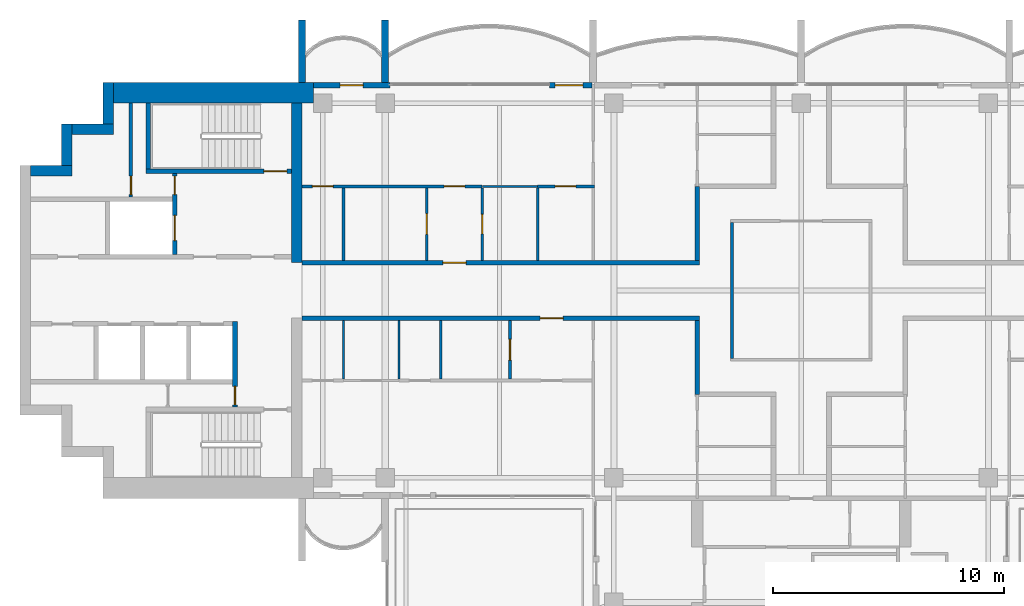
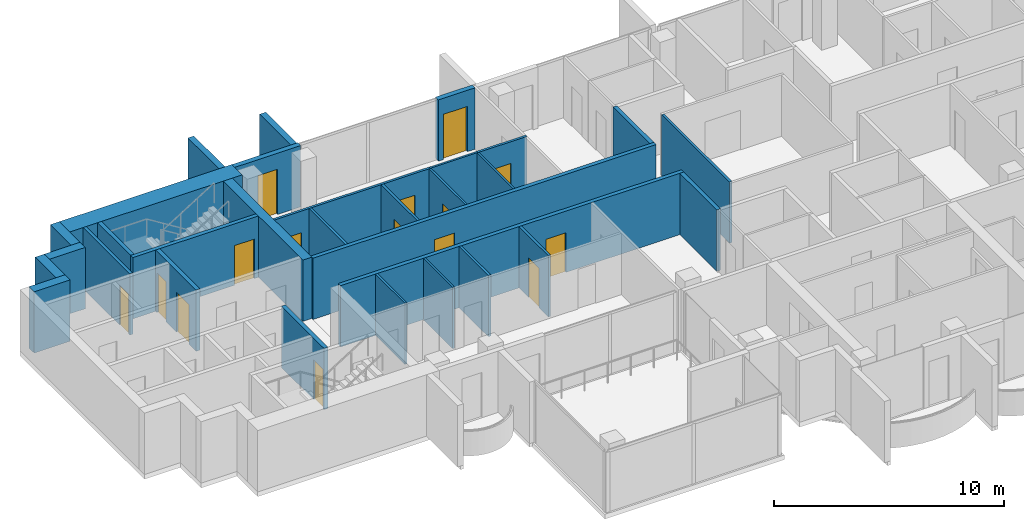
# One storey, part 8 of 16: 31 walls, 15 doors, 15 openings.
"""IFC4 building model written with IfcOpenShell, lengths in metres."""

from ifc_helpers import new_model, si_unit, direction, frame, frame_2d, origin, place, context, subcontext, project, spatial, rectangle, extrude, material, layer, layer_set, type_object, element, fill, save


model = new_model("IFC4")

# Units and contexts
model_context = context("Model", 3, precision=1e-05, world=origin(), true_north=direction((0.0, 1.0)))
body_context = subcontext(model_context, "Body", "Model", "MODEL_VIEW")
ifc_project = project(units=[si_unit("LENGTHUNIT", "METRE"), si_unit("AREAUNIT", "SQUARE_METRE"), si_unit("VOLUMEUNIT", "CUBIC_METRE"), si_unit("PLANEANGLEUNIT", "RADIAN"), si_unit("MASSUNIT", "GRAM", prefix="KILO")], contexts=[model_context])

# Site, building, storey
site_placement = place(None, origin())
site = spatial("IfcSite", under=ifc_project, at=site_placement, CompositionType="ELEMENT")
building_placement = place(site_placement, origin())
building = spatial("IfcBuilding", under=site, at=building_placement, Name="Perihelion Cross Residences", CompositionType="ELEMENT")
storey_placement = place(building_placement, frame((0.0, 0.0, 236.0)))
storey = spatial("IfcBuildingStorey", under=building, at=storey_placement, Name="L59", CompositionType="ELEMENT", Elevation=236.0)

# Wall, opening, door
ifc_material_1 = material(Name="Plasterboard partition")
ifc_layer_1 = layer(ifc_material_1, 0.199951171875)
ifc_layer_set_1 = layer_set([ifc_layer_1], Name="Apartment separation wall 200")
wall_type_1 = type_object("IfcWallType", Name="Apartment separation wall 200", PredefinedType="PARTITIONING", material=ifc_layer_set_1)
wall_1_placement = place(storey_placement, frame((-21.60009765625, 1.199951171875, 0.0), z_axis=(0.0, 0.0, 1.0), x_axis=(1.0, 0.0, 0.0)))
wall_1 = element("IfcWall", 1, at=wall_1_placement, inside=storey, type_object=wall_type_1, Name="Partition L59 W013", PredefinedType="PARTITIONING", context=body_context, shape_type="SweptSolid", body=[
    extrude(rectangle(XDim=17.2001953125, YDim=0.199951171875, at=frame_2d((8.60009765625, 0.0))), origin(), (0.0, 0.0, 1.0), 3.25),
])
opening_1_placement = place(wall_1_placement, frame((6.10009765625, 0.0, 0.0)))
opening_1 = element("IfcOpeningElement", 2, at=opening_1_placement, cuts=wall_1, Name="Opening L59.A41", PredefinedType="OPENING", context=body_context, shape_type="SweptSolid", body=[
    extrude(rectangle(XDim=1.0, YDim=2.10009765625, at=frame_2d((0.5, 1.050048828125))), frame((0.0, 0.10986328125, 0.0), z_axis=(0.0, -1.0, 0.0), x_axis=(1.0, 0.0, 0.0)), (0.0, 0.0, 1.0), 0.219970703125),
])
ifc_material_2 = material(Name="Timber door leaf", Category="wood")
door_type_1 = type_object("IfcDoorType", Name="Flat entrance door 1000 x 2100", OperationType="SINGLE_SWING_LEFT", PredefinedType="DOOR", material=ifc_material_2)
door_1_placement = place(opening_1_placement, origin())
door_1 = element("IfcDoor", 3, at=door_1_placement, inside=storey, type_object=door_type_1, Name="Door L59.A41", OperationType="SINGLE_SWING_LEFT", OverallHeight=2.10009765625, OverallWidth=1.0, PredefinedType="DOOR", context=body_context, shape_type="SweptSolid", body=[
    extrude(rectangle(XDim=1.0, YDim=2.10009765625, at=frame_2d((0.5, 1.050048828125))), frame((0.0, 0.02490234375, 0.0), z_axis=(0.0, -1.0, 0.0), x_axis=(1.0, 0.0, 0.0)), (0.0, 0.0, 1.0), 0.050048828125),
])
fill(opening_1, door_1)

# Wall
wall_2_placement = place(storey_placement, frame((-4.5, 1.300048828125, 0.0), z_axis=(0.0, 0.0, 1.0), x_axis=(0.0, 1.0, 0.0)))
element("IfcWall", 4, at=wall_2_placement, inside=storey, type_object=wall_type_1, Name="Partition L59 W014", PredefinedType="PARTITIONING", context=body_context, shape_type="SweptSolid", body=[
    extrude(rectangle(XDim=3.199951171875, YDim=0.199951171875, at=frame_2d((1.60009765625, 0.0))), origin(), (0.0, 0.0, 1.0), 3.25),
])

# Wall, opening, door
wall_3_placement = place(storey_placement, frame((-4.39990234375, -1.199951171875, 0.0), z_axis=(0.0, 0.0, 1.0), x_axis=(-1.0, 0.0, 0.0)))
wall_3 = element("IfcWall", 5, at=wall_3_placement, inside=storey, type_object=wall_type_1, Name="Partition L59 W017", PredefinedType="PARTITIONING", context=body_context, shape_type="SweptSolid", body=[
    extrude(rectangle(XDim=17.2001953125, YDim=0.199951171875, at=frame_2d((8.60009765625, 0.0))), origin(), (0.0, 0.0, 1.0), 3.25),
])
opening_2_placement = place(wall_3_placement, frame((5.89990234375, 0.0, 0.0)))
opening_2 = element("IfcOpeningElement", 6, at=opening_2_placement, cuts=wall_3, Name="Opening L59.A42", PredefinedType="OPENING", context=body_context, shape_type="SweptSolid", body=[
    extrude(rectangle(XDim=1.0, YDim=2.10009765625, at=frame_2d((0.5, 1.050048828125))), frame((0.0, 0.10986328125, 0.0), z_axis=(0.0, -1.0, 0.0), x_axis=(1.0, 0.0, 0.0)), (0.0, 0.0, 1.0), 0.219970703125),
])
door_2_placement = place(opening_2_placement, origin())
door_2 = element("IfcDoor", 7, at=door_2_placement, inside=storey, type_object=door_type_1, Name="Door L59.A42", OperationType="SINGLE_SWING_LEFT", OverallHeight=2.10009765625, OverallWidth=1.0, PredefinedType="DOOR", context=body_context, shape_type="SweptSolid", body=[
    extrude(rectangle(XDim=1.0, YDim=2.10009765625, at=frame_2d((0.5, 1.050048828125))), frame((0.0, 0.02490234375, 0.0), z_axis=(0.0, -1.0, 0.0), x_axis=(1.0, 0.0, 0.0)), (0.0, 0.0, 1.0), 0.050048828125),
])
fill(opening_2, door_2)

# Wall
wall_4_placement = place(storey_placement, frame((-4.5, -4.5, 0.0), z_axis=(0.0, 0.0, 1.0), x_axis=(0.0, 1.0, 0.0)))
element("IfcWall", 8, at=wall_4_placement, inside=storey, type_object=wall_type_1, Name="Partition L59 W018", PredefinedType="PARTITIONING", context=body_context, shape_type="SweptSolid", body=[
    extrude(rectangle(XDim=3.199951171875, YDim=0.199951171875, at=frame_2d((1.60009765625, 0.0))), origin(), (0.0, 0.0, 1.0), 3.25),
])

# Wall, opening, door
ifc_material_3 = material(Name="Concrete C30/37, bronze-clad", Category="concrete")
ifc_layer_2 = layer(ifc_material_3, 0.25)
ifc_layer_set_2 = layer_set([ifc_layer_2], Name="Bronze-clad pier wall 250")
wall_type_2 = type_object("IfcWallType", Name="Bronze-clad pier wall 250", PredefinedType="SOLIDWALL", material=ifc_layer_set_2)
wall_5_placement = place(storey_placement, frame((-9.06005859375, 8.875, 0.0), z_axis=(0.0, 0.0, 1.0), x_axis=(-1.0, 0.0, 0.0)))
wall_5 = element("IfcWall", 9, at=wall_5_placement, inside=storey, type_object=wall_type_2, Name="Wall FW1 L59 west side north bay 1 pier", PredefinedType="SOLIDWALL", context=body_context, shape_type="SweptSolid", body=[
    extrude(rectangle(XDim=1.83984375, YDim=0.25, at=frame_2d((0.919921875, 0.0))), origin(), (0.0, 0.0, 1.0), 3.25),
])
opening_3_placement = place(wall_5_placement, frame((0.389892578125, 0.0, 0.0)))
opening_3 = element("IfcOpeningElement", 10, at=opening_3_placement, cuts=wall_5, Name="Opening L59.E05", PredefinedType="OPENING", context=body_context, shape_type="SweptSolid", body=[
    extrude(rectangle(XDim=1.199951171875, YDim=2.39990234375, at=frame_2d((0.60009765625, 1.199951171875))), frame((0.0, 0.135009765625, 0.0), z_axis=(0.0, -1.0, 0.0), x_axis=(1.0, 0.0, 0.0)), (0.0, 0.0, 1.0), 0.27001953125),
])
ifc_material_4 = material(Name="Bronze anodised aluminium, glazed", Category="aluminium")
door_type_2 = type_object("IfcDoorType", Name="Balcony door 1200 x 2400", OperationType="NOTDEFINED", PredefinedType="DOOR", material=ifc_material_4)
door_3_placement = place(opening_3_placement, origin())
door_3 = element("IfcDoor", 11, at=door_3_placement, inside=storey, type_object=door_type_2, Name="Door L59.E05 west side north bay 1", OperationType="SINGLE_SWING_LEFT", OverallHeight=2.39990234375, OverallWidth=1.199951171875, PredefinedType="DOOR", context=body_context, shape_type="SweptSolid", body=[
    extrude(rectangle(XDim=1.199951171875, YDim=2.39990234375, at=frame_2d((0.60009765625, 1.199951171875))), frame((0.0, 0.02490234375, 0.0), z_axis=(0.0, -1.0, 0.0), x_axis=(1.0, 0.0, 0.0)), (0.0, 0.0, 1.0), 0.050048828125),
])
fill(opening_3, door_3)

wall_6_placement = place(storey_placement, frame((-17.800048828125, 8.875, 0.0), z_axis=(0.0, 0.0, 1.0), x_axis=(-1.0, 0.0, 0.0)))
wall_6 = element("IfcWall", 12, at=wall_6_placement, inside=storey, type_object=wall_type_2, Name="Wall FW1 L59 west side north bay 2 pier", PredefinedType="SOLIDWALL", context=body_context, shape_type="SweptSolid", body=[
    extrude(rectangle(XDim=3.300048828125, YDim=0.25, at=frame_2d((1.64990234375, 0.0))), origin(), (0.0, 0.0, 1.0), 3.25),
])
opening_4_placement = place(wall_6_placement, frame((1.14990234375, 0.0, 0.0)))
opening_4 = element("IfcOpeningElement", 13, at=opening_4_placement, cuts=wall_6, Name="Opening L59.E06", PredefinedType="OPENING", context=body_context, shape_type="SweptSolid", body=[
    extrude(rectangle(XDim=1.0, YDim=2.39990234375, at=frame_2d((0.5, 1.199951171875))), frame((0.0, 0.135009765625, 0.0), z_axis=(0.0, -1.0, 0.0), x_axis=(1.0, 0.0, 0.0)), (0.0, 0.0, 1.0), 0.27001953125),
])
ifc_material_5 = material(Name="Bronze anodised aluminium, glazed", Category="aluminium")
door_type_3 = type_object("IfcDoorType", Name="Balcony door 1000 x 2400", OperationType="NOTDEFINED", PredefinedType="DOOR", material=ifc_material_5)
door_4_placement = place(opening_4_placement, origin())
door_4 = element("IfcDoor", 14, at=door_4_placement, inside=storey, type_object=door_type_3, Name="Door L59.E06 west side north bay 2", OperationType="SINGLE_SWING_RIGHT", OverallHeight=2.39990234375, OverallWidth=1.0, PredefinedType="DOOR", context=body_context, shape_type="SweptSolid", body=[
    extrude(rectangle(XDim=1.0, YDim=2.39990234375, at=frame_2d((0.5, 1.199951171875))), frame((0.0, 0.02490234375, 0.0), z_axis=(0.0, -1.0, 0.0), x_axis=(1.0, 0.0, 0.0)), (0.0, 0.0, 1.0), 0.050048828125),
])
fill(opening_4, door_4)

# Walls
ifc_material_6 = material(Name="Concrete C60/75", Category="concrete")
ifc_layer_3 = layer(ifc_material_6, 0.449951171875)
ifc_layer_set_3 = layer_set([ifc_layer_3], Name="Core wall, inner 450")
wall_type_3 = type_object("IfcWallType", Name="Core wall, inner 450", PredefinedType="SHEAR", material=ifc_layer_set_3)
wall_7_placement = place(storey_placement, frame((-21.824951171875, 1.199951171875, 0.0), z_axis=(0.0, 0.0, 1.0), x_axis=(0.0, 1.0, 0.0)))
element("IfcWall", 15, at=wall_7_placement, inside=storey, type_object=wall_type_3, Name="West core core wall, inner", PredefinedType="SHEAR", context=body_context, shape_type="SweptSolid", body=[
    extrude(rectangle(XDim=6.900146484375, YDim=0.449951171875, at=frame_2d((3.4501953125, 0.0))), origin(), (0.0, 0.0, 1.0), 3.25),
])
ifc_material_7 = material(Name="Concrete C60/75", Category="concrete")
ifc_layer_4 = layer(ifc_material_7, 0.449951171875)
ifc_layer_set_4 = layer_set([ifc_layer_4], Name="Core wall, outer 450")
wall_type_4 = type_object("IfcWallType", Name="Core wall, outer 450", PredefinedType="SHEAR", material=ifc_layer_set_4)
for number, where, z_axis, x_axis, name in (
    (16, (-33.35009765625, 5.175048828125, 0.0), (0.0, 0.0, 1.0), (1.0, 0.0, 0.0), "West core core wall, outer"),
    (17, (-31.77490234375, 5.39990234375, 0.0), (0.0, 0.0, 1.0), (0.0, 1.0, 0.0), "West core core wall, outer"),
    (18, (-31.550048828125, 6.97509765625, 0.0), (0.0, 0.0, 1.0), (1.0, 0.0, 0.0), "West core core wall, outer"),
    (19, (-29.97509765625, 7.199951171875, 0.0), (0.0, 0.0, 1.0), (0.0, 1.0, 0.0), "West core core wall, outer"),
):
    element("IfcWall", number, at=place(storey_placement, frame(where, z_axis=z_axis, x_axis=x_axis)), inside=storey, type_object=wall_type_4, Name=name, PredefinedType="SHEAR", context=body_context, shape_type="SweptSolid", body=[
        extrude(rectangle(XDim=1.800048828125, YDim=0.449951171875, at=frame_2d((0.89990234375, 0.0))), origin(), (0.0, 0.0, 1.0), 3.25),
    ])
ifc_material_8 = material(Name="Concrete C60/75", Category="concrete")
ifc_layer_5 = layer(ifc_material_8, 0.89990234375)
ifc_layer_set_5 = layer_set([ifc_layer_5], Name="Core wall, outer 900")
wall_type_5 = type_object("IfcWallType", Name="Core wall, outer 900", PredefinedType="SHEAR", material=ifc_layer_set_5)
wall_8_placement = place(storey_placement, frame((-29.75, 8.550048828125, 0.0), z_axis=(0.0, 0.0, 1.0), x_axis=(1.0, 0.0, 0.0)))
element("IfcWall", 20, at=wall_8_placement, inside=storey, type_object=wall_type_5, Name="West core core wall, outer", PredefinedType="SHEAR", context=body_context, shape_type="SweptSolid", body=[
    extrude(rectangle(XDim=8.64990234375, YDim=0.89990234375, at=frame_2d((4.324951171875, 0.0))), origin(), (0.0, 0.0, 1.0), 3.25),
])

# Wall, opening, door
ifc_material_9 = material(Name="Concrete C50/60", Category="concrete")
ifc_layer_6 = layer(ifc_material_9, 0.199951171875)
ifc_layer_set_6 = layer_set([ifc_layer_6], Name="Lobby wall 200")
wall_type_6 = type_object("IfcWallType", Name="Lobby wall 200", PredefinedType="SOLIDWALL", material=ifc_layer_set_6)
wall_9_placement = place(storey_placement, frame((-24.5, -5.050048828125, 0.0), z_axis=(0.0, 0.0, 1.0), x_axis=(0.0, 1.0, 0.0)))
wall_9 = element("IfcWall", 21, at=wall_9_placement, inside=storey, type_object=wall_type_6, Name="West core lobby wall", PredefinedType="SOLIDWALL", context=body_context, shape_type="SweptSolid", body=[
    extrude(rectangle(XDim=3.699951171875, YDim=0.199951171875, at=frame_2d((1.85009765625, 0.0))), origin(), (0.0, 0.0, 1.0), 3.25),
])
opening_5_placement = place(wall_9_placement, frame((0.10009765625, 0.0, 0.0)))
opening_5 = element("IfcOpeningElement", 22, at=opening_5_placement, cuts=wall_9, Name="Opening L59.C22", PredefinedType="OPENING", context=body_context, shape_type="SweptSolid", body=[
    extrude(rectangle(XDim=0.800048828125, YDim=2.10009765625, at=frame_2d((0.39990234375, 1.050048828125))), frame((0.0, 0.10986328125, 0.0), z_axis=(0.0, -1.0, 0.0), x_axis=(1.0, 0.0, 0.0)), (0.0, 0.0, 1.0), 0.219970703125),
])
ifc_material_10 = material(Name="Steel, powder coated", Category="steel")
door_type_4 = type_object("IfcDoorType", Name="Riser door 800", OperationType="SINGLE_SWING_LEFT", PredefinedType="DOOR", material=ifc_material_10)
door_5_placement = place(opening_5_placement, origin())
door_5 = element("IfcDoor", 23, at=door_5_placement, inside=storey, type_object=door_type_4, Name="West core riser door", OperationType="SINGLE_SWING_LEFT", OverallHeight=2.10009765625, OverallWidth=0.800048828125, PredefinedType="DOOR", context=body_context, shape_type="SweptSolid", body=[
    extrude(rectangle(XDim=0.800048828125, YDim=2.10009765625, at=frame_2d((0.39990234375, 1.050048828125))), frame((0.0, 0.02490234375, 0.0), z_axis=(0.0, -1.0, 0.0), x_axis=(1.0, 0.0, 0.0)), (0.0, 0.0, 1.0), 0.050048828125),
])
fill(opening_5, door_5)

# Wall
ifc_material_11 = material(Name="Plasterboard partition")
ifc_layer_7 = layer(ifc_material_11, 0.1201171875)
ifc_layer_set_7 = layer_set([ifc_layer_7], Name="Partition wall 120")
wall_type_7 = type_object("IfcWallType", Name="Partition wall 120", PredefinedType="PARTITIONING", material=ifc_layer_set_7)
wall_10_placement = place(storey_placement, frame((-3.0, 2.93994140625, 0.0), z_axis=(0.0, 0.0, 1.0), x_axis=(0.0, -1.0, 0.0)))
element("IfcWall", 24, at=wall_10_placement, inside=storey, type_object=wall_type_7, Name="Partition L59 W004", PredefinedType="PARTITIONING", context=body_context, shape_type="SweptSolid", body=[
    extrude(rectangle(XDim=5.8798828125, YDim=0.1201171875, at=frame_2d((2.93994140625, 0.0))), origin(), (0.0, 0.0, 1.0), 3.25),
])

# Wall, opening, door
wall_11_placement = place(storey_placement, frame((-11.39990234375, 4.5, 0.0), z_axis=(0.0, 0.0, 1.0), x_axis=(1.0, 0.0, 0.0)))
wall_11 = element("IfcWall", 25, at=wall_11_placement, inside=storey, type_object=wall_type_7, Name="Partition L59 W044", PredefinedType="PARTITIONING", context=body_context, shape_type="SweptSolid", body=[
    extrude(rectangle(XDim=2.4599609375, YDim=0.1201171875, at=frame_2d((1.22998046875, 0.0))), origin(), (0.0, 0.0, 1.0), 3.25),
])
opening_6_placement = place(wall_11_placement, frame((0.75, 0.0, 0.0)))
opening_6 = element("IfcOpeningElement", 26, at=opening_6_placement, cuts=wall_11, Name="Opening L59.A24", PredefinedType="OPENING", context=body_context, shape_type="SweptSolid", body=[
    extrude(rectangle(XDim=0.89990234375, YDim=2.10009765625, at=frame_2d((0.449951171875, 1.050048828125))), frame((0.0, 0.070068359375, 0.0), z_axis=(0.0, -1.0, 0.0), x_axis=(1.0, 0.0, 0.0)), (0.0, 0.0, 1.0), 0.14013671875),
])
ifc_material_12 = material(Name="Timber door leaf", Category="wood")
door_type_5 = type_object("IfcDoorType", Name="Interior room door 900 x 2100", OperationType="SINGLE_SWING_LEFT", PredefinedType="DOOR", material=ifc_material_12)
door_6_placement = place(opening_6_placement, origin())
door_6 = element("IfcDoor", 27, at=door_6_placement, inside=storey, type_object=door_type_5, Name="Door L59.A24", OperationType="SINGLE_SWING_LEFT", OverallHeight=2.10009765625, OverallWidth=0.89990234375, PredefinedType="DOOR", context=body_context, shape_type="SweptSolid", body=[
    extrude(rectangle(XDim=0.89990234375, YDim=2.10009765625, at=frame_2d((0.449951171875, 1.050048828125))), frame((0.0, 0.02490234375, 0.0), z_axis=(0.0, -1.0, 0.0), x_axis=(1.0, 0.0, 0.0)), (0.0, 0.0, 1.0), 0.050048828125),
])
fill(opening_6, door_6)

wall_12_placement = place(storey_placement, frame((-16.199951171875, 1.300048828125, 0.0), z_axis=(0.0, 0.0, 1.0), x_axis=(0.0, 1.0, 0.0)))
wall_12 = element("IfcWall", 28, at=wall_12_placement, inside=storey, type_object=wall_type_7, Name="Partition L59 W048", PredefinedType="PARTITIONING", context=body_context, shape_type="SweptSolid", body=[
    extrude(rectangle(XDim=3.139892578125, YDim=0.1201171875, at=frame_2d((1.56982421875, 0.0))), origin(), (0.0, 0.0, 1.0), 3.25),
])
opening_7_placement = place(wall_12_placement, frame((1.1201171875, 0.0, 0.0)))
opening_7 = element("IfcOpeningElement", 29, at=opening_7_placement, cuts=wall_12, Name="Opening L59.A18", PredefinedType="OPENING", context=body_context, shape_type="SweptSolid", body=[
    extrude(rectangle(XDim=0.89990234375, YDim=2.10009765625, at=frame_2d((0.449951171875, 1.050048828125))), frame((0.0, 0.070068359375, 0.0), z_axis=(0.0, -1.0, 0.0), x_axis=(1.0, 0.0, 0.0)), (0.0, 0.0, 1.0), 0.14013671875),
])
door_7_placement = place(opening_7_placement, origin())
door_7 = element("IfcDoor", 30, at=door_7_placement, inside=storey, type_object=door_type_5, Name="Door L59.A18", OperationType="SINGLE_SWING_LEFT", OverallHeight=2.10009765625, OverallWidth=0.89990234375, PredefinedType="DOOR", context=body_context, shape_type="SweptSolid", body=[
    extrude(rectangle(XDim=0.89990234375, YDim=2.10009765625, at=frame_2d((0.449951171875, 1.050048828125))), frame((0.0, 0.02490234375, 0.0), z_axis=(0.0, -1.0, 0.0), x_axis=(1.0, 0.0, 0.0)), (0.0, 0.0, 1.0), 0.050048828125),
])
fill(opening_7, door_7)

# Wall, openings, doors
wall_13_placement = place(storey_placement, frame((-21.60009765625, 4.5, 0.0), z_axis=(0.0, 0.0, 1.0), x_axis=(1.0, 0.0, 0.0)))
wall_13 = element("IfcWall", 31, at=wall_13_placement, inside=storey, type_object=wall_type_7, Name="Partition L59 W049", PredefinedType="PARTITIONING", context=body_context, shape_type="SweptSolid", body=[
    extrude(rectangle(XDim=7.800048828125, YDim=0.1201171875, at=frame_2d((3.89990234375, 0.0))), origin(), (0.0, 0.0, 1.0), 3.25),
])
opening_8_placement = place(wall_13_placement, frame((0.449951171875, 0.0, 0.0)))
opening_8 = element("IfcOpeningElement", 32, at=opening_8_placement, cuts=wall_13, Name="Opening L59.A19", PredefinedType="OPENING", context=body_context, shape_type="SweptSolid", body=[
    extrude(rectangle(XDim=0.89990234375, YDim=2.10009765625, at=frame_2d((0.449951171875, 1.050048828125))), frame((0.0, 0.070068359375, 0.0), z_axis=(0.0, -1.0, 0.0), x_axis=(1.0, 0.0, 0.0)), (0.0, 0.0, 1.0), 0.14013671875),
])
opening_9_placement = place(wall_13_placement, frame((6.14990234375, 0.0, 0.0)))
opening_9 = element("IfcOpeningElement", 33, at=opening_9_placement, cuts=wall_13, Name="Opening L59.A23", PredefinedType="OPENING", context=body_context, shape_type="SweptSolid", body=[
    extrude(rectangle(XDim=0.89990234375, YDim=2.10009765625, at=frame_2d((0.449951171875, 1.050048828125))), frame((0.0, 0.070068359375, 0.0), z_axis=(0.0, -1.0, 0.0), x_axis=(1.0, 0.0, 0.0)), (0.0, 0.0, 1.0), 0.14013671875),
])
door_8_placement = place(opening_8_placement, origin())
door_8 = element("IfcDoor", 34, at=door_8_placement, inside=storey, type_object=door_type_5, Name="Door L59.A19", OperationType="SINGLE_SWING_LEFT", OverallHeight=2.10009765625, OverallWidth=0.89990234375, PredefinedType="DOOR", context=body_context, shape_type="SweptSolid", body=[
    extrude(rectangle(XDim=0.89990234375, YDim=2.10009765625, at=frame_2d((0.449951171875, 1.050048828125))), frame((0.0, 0.02490234375, 0.0), z_axis=(0.0, -1.0, 0.0), x_axis=(1.0, 0.0, 0.0)), (0.0, 0.0, 1.0), 0.050048828125),
])
fill(opening_8, door_8)
door_9_placement = place(opening_9_placement, origin())
door_9 = element("IfcDoor", 35, at=door_9_placement, inside=storey, type_object=door_type_5, Name="Door L59.A23", OperationType="SINGLE_SWING_LEFT", OverallHeight=2.10009765625, OverallWidth=0.89990234375, PredefinedType="DOOR", context=body_context, shape_type="SweptSolid", body=[
    extrude(rectangle(XDim=0.89990234375, YDim=2.10009765625, at=frame_2d((0.449951171875, 1.050048828125))), frame((0.0, 0.02490234375, 0.0), z_axis=(0.0, -1.0, 0.0), x_axis=(1.0, 0.0, 0.0)), (0.0, 0.0, 1.0), 0.050048828125),
])
fill(opening_9, door_9)

# Wall
wall_14_placement = place(storey_placement, frame((-19.800048828125, 1.300048828125, 0.0), z_axis=(0.0, 0.0, 1.0), x_axis=(0.0, 1.0, 0.0)))
element("IfcWall", 36, at=wall_14_placement, inside=storey, type_object=wall_type_7, Name="Partition L59 W050", PredefinedType="PARTITIONING", context=body_context, shape_type="SweptSolid", body=[
    extrude(rectangle(XDim=3.139892578125, YDim=0.1201171875, at=frame_2d((1.56982421875, 0.0))), origin(), (0.0, 0.0, 1.0), 3.25),
])

# Wall, opening, door
wall_15_placement = place(storey_placement, frame((-12.60009765625, -3.840087890625, 0.0), z_axis=(0.0, 0.0, 1.0), x_axis=(0.0, 1.0, 0.0)))
wall_15 = element("IfcWall", 37, at=wall_15_placement, inside=storey, type_object=wall_type_7, Name="Partition L59 W054", PredefinedType="PARTITIONING", context=body_context, shape_type="SweptSolid", body=[
    extrude(rectangle(XDim=2.5400390625, YDim=0.1201171875, at=frame_2d((1.27001953125, 0.0))), origin(), (0.0, 0.0, 1.0), 3.25),
])
opening_10_placement = place(wall_15_placement, frame((0.820068359375, 0.0, 0.0)))
opening_10 = element("IfcOpeningElement", 38, at=opening_10_placement, cuts=wall_15, Name="Opening L59.A27", PredefinedType="OPENING", context=body_context, shape_type="SweptSolid", body=[
    extrude(rectangle(XDim=0.89990234375, YDim=2.10009765625, at=frame_2d((0.449951171875, 1.050048828125))), frame((0.0, 0.070068359375, 0.0), z_axis=(0.0, -1.0, 0.0), x_axis=(1.0, 0.0, 0.0)), (0.0, 0.0, 1.0), 0.14013671875),
])
door_10_placement = place(opening_10_placement, origin())
door_10 = element("IfcDoor", 39, at=door_10_placement, inside=storey, type_object=door_type_5, Name="Door L59.A27", OperationType="SINGLE_SWING_LEFT", OverallHeight=2.10009765625, OverallWidth=0.89990234375, PredefinedType="DOOR", context=body_context, shape_type="SweptSolid", body=[
    extrude(rectangle(XDim=0.89990234375, YDim=2.10009765625, at=frame_2d((0.449951171875, 1.050048828125))), frame((0.0, 0.02490234375, 0.0), z_axis=(0.0, -1.0, 0.0), x_axis=(1.0, 0.0, 0.0)), (0.0, 0.0, 1.0), 0.050048828125),
])
fill(opening_10, door_10)

# Walls
wall_16_placement = place(storey_placement, frame((-15.60009765625, -3.840087890625, 0.0), z_axis=(0.0, 0.0, 1.0), x_axis=(0.0, 1.0, 0.0)))
element("IfcWall", 40, at=wall_16_placement, inside=storey, type_object=wall_type_7, Name="Partition L59 W057", PredefinedType="PARTITIONING", context=body_context, shape_type="SweptSolid", body=[
    extrude(rectangle(XDim=2.5400390625, YDim=0.1201171875, at=frame_2d((1.27001953125, 0.0))), origin(), (0.0, 0.0, 1.0), 3.25),
])
ifc_material_13 = material(Name="Precast concrete C50/60", Category="concrete")
ifc_layer_8 = layer(ifc_material_13, 0.300048828125)
ifc_layer_set_8 = layer_set([ifc_layer_8], Name="Precast concrete C50/60 blade wall 300")
wall_type_8 = type_object("IfcWallType", Name="Precast concrete C50/60 blade wall 300", PredefinedType="SOLIDWALL", material=ifc_layer_set_8)
for number, where, z_axis, x_axis, name in (
    (41, (-21.60009765625, 9.0, 0.0), (0.0, 0.0, 1.0), (0.0, 1.0, 0.0), "Wall BL1 L59 no. 4"),
    (42, (-18.0, 9.0, 0.0), (0.0, 0.0, 1.0), (0.0, 1.0, 0.0), "Wall BL1 L59 no. 2"),
):
    element("IfcWall", number, at=place(storey_placement, frame(where, z_axis=z_axis, x_axis=x_axis)), inside=storey, type_object=wall_type_8, Name=name, PredefinedType="SOLIDWALL", context=body_context, shape_type="SweptSolid", body=[
        extrude(rectangle(XDim=2.699951171875, YDim=0.300048828125, at=frame_2d((1.35009765625, 0.0))), origin(), (0.0, 0.0, 1.0), 3.25),
    ])

# Wall, opening, door
ifc_material_14 = material(Name="Fire-rated board on steel stud", Category="steel")
ifc_layer_9 = layer(ifc_material_14, 0.14990234375)
ifc_layer_set_9 = layer_set([ifc_layer_9], Name="Riser wall 150")
wall_type_9 = type_object("IfcWallType", Name="Riser wall 150", PredefinedType="PARTITIONING", material=ifc_layer_set_9)
wall_17_placement = place(storey_placement, frame((-29.0, 4.050048828125, 0.0), z_axis=(0.0, 0.0, 1.0), x_axis=(0.0, 1.0, 0.0)))
wall_17 = element("IfcWall", 43, at=wall_17_placement, inside=storey, type_object=wall_type_9, Name="West core riser wall", PredefinedType="PARTITIONING", context=body_context, shape_type="SweptSolid", body=[
    extrude(rectangle(XDim=4.050048828125, YDim=0.14990234375, at=frame_2d((2.02490234375, 0.0))), origin(), (0.0, 0.0, 1.0), 3.25),
])
opening_11_placement = place(wall_17_placement, frame((0.10009765625, 0.0, 0.0)))
opening_11 = element("IfcOpeningElement", 44, at=opening_11_placement, cuts=wall_17, Name="Opening L59.C26", PredefinedType="OPENING", context=body_context, shape_type="SweptSolid", body=[
    extrude(rectangle(XDim=0.800048828125, YDim=2.10009765625, at=frame_2d((0.39990234375, 1.050048828125))), frame((0.0, 0.0849609375, 0.0), z_axis=(0.0, -1.0, 0.0), x_axis=(1.0, 0.0, 0.0)), (0.0, 0.0, 1.0), 0.169921875),
])
door_11_placement = place(opening_11_placement, origin())
door_11 = element("IfcDoor", 45, at=door_11_placement, inside=storey, type_object=door_type_4, Name="West core riser door", OperationType="SINGLE_SWING_LEFT", OverallHeight=2.10009765625, OverallWidth=0.800048828125, PredefinedType="DOOR", context=body_context, shape_type="SweptSolid", body=[
    extrude(rectangle(XDim=0.800048828125, YDim=2.10009765625, at=frame_2d((0.39990234375, 1.050048828125))), frame((0.0, 0.02490234375, 0.0), z_axis=(0.0, -1.0, 0.0), x_axis=(1.0, 0.0, 0.0)), (0.0, 0.0, 1.0), 0.050048828125),
])
fill(opening_11, door_11)

# Wall, openings, doors
ifc_material_15 = material(Name="Concrete C50/60", Category="concrete")
ifc_layer_10 = layer(ifc_material_15, 0.199951171875)
ifc_layer_set_10 = layer_set([ifc_layer_10], Name="Shaft wall 200")
wall_type_10 = type_object("IfcWallType", Name="Shaft wall 200", PredefinedType="SOLIDWALL", material=ifc_layer_set_10)
wall_18_placement = place(storey_placement, frame((-27.10009765625, 1.550048828125, 0.0), z_axis=(0.0, 0.0, 1.0), x_axis=(0.0, 1.0, 0.0)))
wall_18 = element("IfcWall", 46, at=wall_18_placement, inside=storey, type_object=wall_type_10, Name="West core shaft wall", PredefinedType="SOLIDWALL", context=body_context, shape_type="SweptSolid", body=[
    extrude(rectangle(XDim=3.5, YDim=0.199951171875, at=frame_2d((1.75, 0.0))), origin(), (0.0, 0.0, 1.0), 3.25),
])
opening_12_placement = place(wall_18_placement, frame((0.60009765625, 0.0, 0.0)))
opening_12 = element("IfcOpeningElement", 47, at=opening_12_placement, cuts=wall_18, Name="Opening L59.C16", PredefinedType="OPENING", context=body_context, shape_type="SweptSolid", body=[
    extrude(rectangle(XDim=1.10009765625, YDim=2.10009765625, at=frame_2d((0.550048828125, 1.050048828125))), frame((0.0, 0.10986328125, 0.0), z_axis=(0.0, -1.0, 0.0), x_axis=(1.0, 0.0, 0.0)), (0.0, 0.0, 1.0), 0.219970703125),
])
opening_13_placement = place(wall_18_placement, frame((2.60009765625, 0.0, 0.0)))
opening_13 = element("IfcOpeningElement", 48, at=opening_13_placement, cuts=wall_18, Name="Opening L59.C24", PredefinedType="OPENING", context=body_context, shape_type="SweptSolid", body=[
    extrude(rectangle(XDim=0.800048828125, YDim=2.10009765625, at=frame_2d((0.39990234375, 1.050048828125))), frame((0.0, 0.10986328125, 0.0), z_axis=(0.0, -1.0, 0.0), x_axis=(1.0, 0.0, 0.0)), (0.0, 0.0, 1.0), 0.219970703125),
])
ifc_material_16 = material(Name="Stainless steel", Category="steel")
door_type_6 = type_object("IfcDoorType", Name="Landing door, firefighting lift 1100", OperationType="DOUBLE_DOOR_SLIDING", PredefinedType="DOOR", material=ifc_material_16)
door_12_placement = place(opening_12_placement, origin())
door_12 = element("IfcDoor", 49, at=door_12_placement, inside=storey, type_object=door_type_6, Name="Landing door, West core firefighting and service lift", OperationType="DOUBLE_DOOR_SLIDING", OverallHeight=2.10009765625, OverallWidth=1.10009765625, PredefinedType="DOOR", context=body_context, shape_type="SweptSolid", body=[
    extrude(rectangle(XDim=1.10009765625, YDim=2.10009765625, at=frame_2d((0.550048828125, 1.050048828125))), frame((0.0, 0.02490234375, 0.0), z_axis=(0.0, -1.0, 0.0), x_axis=(1.0, 0.0, 0.0)), (0.0, 0.0, 1.0), 0.050048828125),
])
fill(opening_12, door_12)
door_13_placement = place(opening_13_placement, origin())
door_13 = element("IfcDoor", 50, at=door_13_placement, inside=storey, type_object=door_type_4, Name="West core riser door", OperationType="SINGLE_SWING_LEFT", OverallHeight=2.10009765625, OverallWidth=0.800048828125, PredefinedType="DOOR", context=body_context, shape_type="SweptSolid", body=[
    extrude(rectangle(XDim=0.800048828125, YDim=2.10009765625, at=frame_2d((0.39990234375, 1.050048828125))), frame((0.0, 0.02490234375, 0.0), z_axis=(0.0, -1.0, 0.0), x_axis=(1.0, 0.0, 0.0)), (0.0, 0.0, 1.0), 0.050048828125),
])
fill(opening_13, door_13)

# Wall, opening, door
ifc_material_17 = material(Name="Concrete C50/60", Category="concrete")
ifc_layer_11 = layer(ifc_material_17, 0.199951171875)
ifc_layer_set_11 = layer_set([ifc_layer_11], Name="Stair wall 200")
wall_type_11 = type_object("IfcWallType", Name="Stair wall 200", PredefinedType="SOLIDWALL", material=ifc_layer_set_11)
wall_19_placement = place(storey_placement, frame((-28.35009765625, 5.14990234375, 0.0), z_axis=(0.0, 0.0, 1.0), x_axis=(1.0, 0.0, 0.0)))
wall_19 = element("IfcWall", 51, at=wall_19_placement, inside=storey, type_object=wall_type_11, Name="West core stair wall", PredefinedType="SOLIDWALL", context=body_context, shape_type="SweptSolid", body=[
    extrude(rectangle(XDim=6.300048828125, YDim=0.199951171875, at=frame_2d((3.14990234375, 0.0))), origin(), (0.0, 0.0, 1.0), 3.25),
])
opening_14_placement = place(wall_19_placement, frame((5.10009765625, 0.0, 0.0)))
opening_14 = element("IfcOpeningElement", 52, at=opening_14_placement, cuts=wall_19, Name="Opening L59.C20", PredefinedType="OPENING", context=body_context, shape_type="SweptSolid", body=[
    extrude(rectangle(XDim=1.0, YDim=2.10009765625, at=frame_2d((0.5, 1.050048828125))), frame((0.0, 0.10986328125, 0.0), z_axis=(0.0, -1.0, 0.0), x_axis=(1.0, 0.0, 0.0)), (0.0, 0.0, 1.0), 0.219970703125),
])
ifc_material_18 = material(Name="Steel, powder coated", Category="steel")
door_type_7 = type_object("IfcDoorType", Name="Stair door 1000", OperationType="SINGLE_SWING_LEFT", PredefinedType="DOOR", material=ifc_material_18)
door_14_placement = place(opening_14_placement, origin())
door_14 = element("IfcDoor", 53, at=door_14_placement, inside=storey, type_object=door_type_7, Name="West core stair door", OperationType="SINGLE_SWING_LEFT", OverallHeight=2.10009765625, OverallWidth=1.0, PredefinedType="DOOR", context=body_context, shape_type="SweptSolid", body=[
    extrude(rectangle(XDim=1.0, YDim=2.10009765625, at=frame_2d((0.5, 1.050048828125))), frame((0.0, 0.02490234375, 0.0), z_axis=(0.0, -1.0, 0.0), x_axis=(1.0, 0.0, 0.0)), (0.0, 0.0, 1.0), 0.050048828125),
])
fill(opening_14, door_14)

# Walls
wall_20_placement = place(storey_placement, frame((-28.25, 5.25, 0.0), z_axis=(0.0, 0.0, 1.0), x_axis=(0.0, 1.0, 0.0)))
element("IfcWall", 54, at=wall_20_placement, inside=storey, type_object=wall_type_11, Name="West core stair wall", PredefinedType="SOLIDWALL", context=body_context, shape_type="SweptSolid", body=[
    extrude(rectangle(XDim=2.85009765625, YDim=0.199951171875, at=frame_2d((1.425048828125, 0.0))), origin(), (0.0, 0.0, 1.0), 3.25),
])
ifc_material_19 = material(Name="Plasterboard partition")
ifc_layer_12 = layer(ifc_material_19, 0.10009765625)
ifc_layer_set_12 = layer_set([ifc_layer_12], Name="Wet room wall 100")
wall_type_12 = type_object("IfcWallType", Name="Wet room wall 100", PredefinedType="PARTITIONING", material=ifc_layer_set_12)
wall_21_placement = place(storey_placement, frame((-11.39990234375, 1.300048828125, 0.0), z_axis=(0.0, 0.0, 1.0), x_axis=(0.0, 1.0, 0.0)))
element("IfcWall", 55, at=wall_21_placement, inside=storey, type_object=wall_type_12, Name="Partition L59 W043", PredefinedType="PARTITIONING", context=body_context, shape_type="SweptSolid", body=[
    extrude(rectangle(XDim=3.139892578125, YDim=0.10009765625, at=frame_2d((1.56982421875, 0.0))), origin(), (0.0, 0.0, 1.0), 3.25),
])

# Wall, opening, door
wall_22_placement = place(storey_placement, frame((-13.800048828125, 1.300048828125, 0.0), z_axis=(0.0, 0.0, 1.0), x_axis=(0.0, 1.0, 0.0)))
wall_22 = element("IfcWall", 56, at=wall_22_placement, inside=storey, type_object=wall_type_12, Name="Partition L59 W046", PredefinedType="PARTITIONING", context=body_context, shape_type="SweptSolid", body=[
    extrude(rectangle(XDim=3.139892578125, YDim=0.10009765625, at=frame_2d((1.56982421875, 0.0))), origin(), (0.0, 0.0, 1.0), 3.25),
])
opening_15_placement = place(wall_22_placement, frame((1.14501953125, 0.0, 0.0)))
opening_15 = element("IfcOpeningElement", 57, at=opening_15_placement, cuts=wall_22, Name="Opening L59.A17", PredefinedType="OPENING", context=body_context, shape_type="SweptSolid", body=[
    extrude(rectangle(XDim=0.85009765625, YDim=2.10009765625, at=frame_2d((0.425048828125, 1.050048828125))), frame((0.0, 0.06005859375, 0.0), z_axis=(0.0, -1.0, 0.0), x_axis=(1.0, 0.0, 0.0)), (0.0, 0.0, 1.0), 0.1201171875),
])
ifc_material_20 = material(Name="Timber door leaf", Category="wood")
door_type_8 = type_object("IfcDoorType", Name="Interior bathroom door 850 x 2100", OperationType="SINGLE_SWING_LEFT", PredefinedType="DOOR", material=ifc_material_20)
door_15_placement = place(opening_15_placement, origin())
door_15 = element("IfcDoor", 58, at=door_15_placement, inside=storey, type_object=door_type_8, Name="Door L59.A17", OperationType="SINGLE_SWING_RIGHT", OverallHeight=2.10009765625, OverallWidth=0.85009765625, PredefinedType="DOOR", context=body_context, shape_type="SweptSolid", body=[
    extrude(rectangle(XDim=0.85009765625, YDim=2.10009765625, at=frame_2d((0.425048828125, 1.050048828125))), frame((0.0, 0.02490234375, 0.0), z_axis=(0.0, -1.0, 0.0), x_axis=(1.0, 0.0, 0.0)), (0.0, 0.0, 1.0), 0.050048828125),
])
fill(opening_15, door_15)

# Walls
wall_23_placement = place(storey_placement, frame((-13.800048828125, 4.5, 0.0), z_axis=(0.0, 0.0, 1.0), x_axis=(1.0, 0.0, 0.0)))
element("IfcWall", 59, at=wall_23_placement, inside=storey, type_object=wall_type_12, Name="Partition L59 W047", PredefinedType="PARTITIONING", context=body_context, shape_type="SweptSolid", body=[
    extrude(rectangle(XDim=2.400146484375, YDim=0.10009765625, at=frame_2d((1.2001953125, 0.0))), origin(), (0.0, 0.0, 1.0), 3.25),
])
for number, where, z_axis, x_axis, name in (
    (60, (-17.39990234375, -3.840087890625, 0.0), (0.0, 0.0, 1.0), (0.0, 1.0, 0.0), "Partition L59 W058"),
    (61, (-19.800048828125, -3.840087890625, 0.0), (0.0, 0.0, 1.0), (0.0, 1.0, 0.0), "Partition L59 W059"),
):
    element("IfcWall", number, at=place(storey_placement, frame(where, z_axis=z_axis, x_axis=x_axis)), inside=storey, type_object=wall_type_12, Name=name, PredefinedType="PARTITIONING", context=body_context, shape_type="SweptSolid", body=[
        extrude(rectangle(XDim=2.5400390625, YDim=0.10009765625, at=frame_2d((1.27001953125, 0.0))), origin(), (0.0, 0.0, 1.0), 3.25),
    ])

save(model, "model.ifc")
